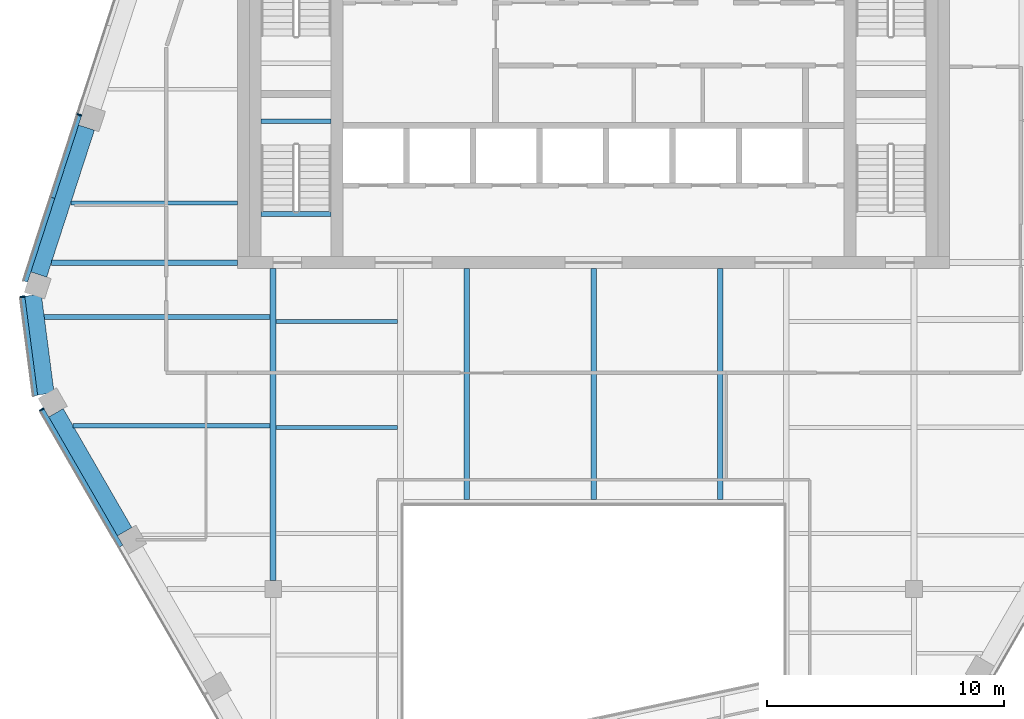
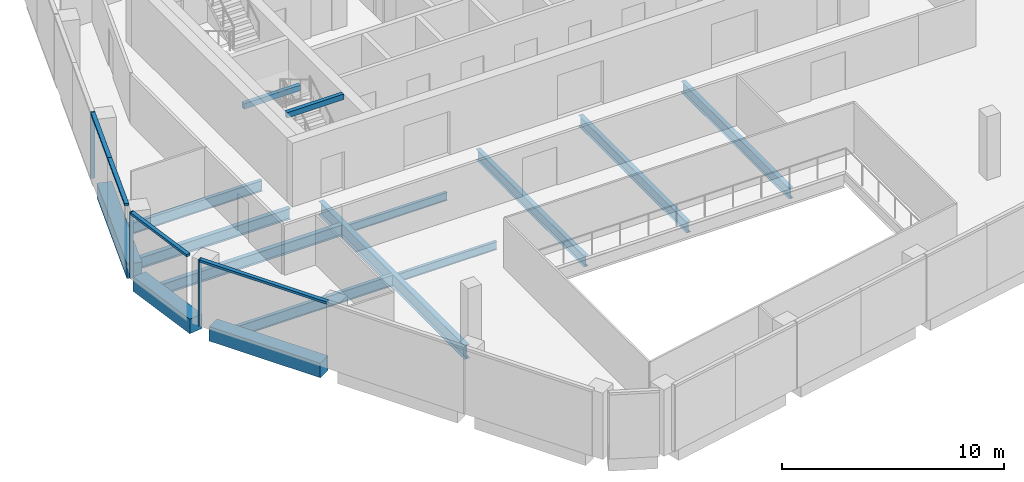
# One storey, part 3 of 15: 15 beams, 7 members, 3 elements without a shape of their own.
"""IFC4 building model written with IfcOpenShell, lengths in metres."""

from ifc_helpers import new_model, si_unit, direction, frame, origin, origin_2d, place, context, subcontext, project, spatial, rectangle, i_section, extrude, material, layer, layer_set, material_profile, profile_set, type_object, element, aggregate, save


model = new_model("IFC4")

# Units and contexts
model_context = context("Model", 3, precision=1e-05, world=origin(), true_north=direction((0.0, 1.0)))
body_context = subcontext(model_context, "Body", "Model", "MODEL_VIEW")
ifc_project = project(units=[si_unit("LENGTHUNIT", "METRE"), si_unit("AREAUNIT", "SQUARE_METRE"), si_unit("VOLUMEUNIT", "CUBIC_METRE"), si_unit("PLANEANGLEUNIT", "RADIAN"), si_unit("MASSUNIT", "GRAM", prefix="KILO")], contexts=[model_context])

# Site, building, storey
site_placement = place(None, origin())
site = spatial("IfcSite", under=ifc_project, at=site_placement, CompositionType="ELEMENT")
building_placement = place(site_placement, origin())
building = spatial("IfcBuilding", under=site, at=building_placement, Name="Isthmus Gate Tower", CompositionType="ELEMENT")
storey_placement = place(building_placement, frame((0.0, 0.0, 293.800048828125)))
storey = spatial("IfcBuildingStorey", under=building, at=storey_placement, Name="L75", CompositionType="ELEMENT", Elevation=293.800048828125)

# Curtain wall, member
ifc_material_1 = material(Name="Aluminium, pale champagne anodised", Category="aluminium")
ifc_layer = layer(ifc_material_1, 0.199951171875)
ifc_layer_set = layer_set([ifc_layer], Name="CW-1 UNITISED CURTAIN WALL 200 DEEP")
curtain_wall_type = type_object("IfcCurtainWallType", Name="CW-1 UNITISED CURTAIN WALL 200 DEEP", PredefinedType="NOTDEFINED", material=ifc_layer_set)
curtain_wall_1_placement = place(storey_placement, origin())
curtain_wall_1 = element("IfcCurtainWall", 1, at=curtain_wall_1_placement, inside=storey, type_object=curtain_wall_type, Name="CW-1 NW L75", PredefinedType="NOTDEFINED")
ifc_material_2 = material(Name="Aluminium, pale champagne anodised", Category="aluminium")
ifc_material_profile_1 = material_profile(ifc_material_2, rectangle(XDim=0.06005859375, YDim=0.199951171875, at=origin_2d()), Name="60x200")
ifc_profile_set_1 = profile_set([ifc_material_profile_1], Name="Aluminium, pale champagne anodised")
member_type_1 = type_object("IfcMemberType", Name="CW-1 MULLION 60 X 200", PredefinedType="MULLION", material=ifc_profile_set_1)
member_1_placement = place(storey_placement, frame((-21.6572265625, 6.47265625, 0.0), z_axis=(0.0, 0.0, 1.0), x_axis=(-0.309016994375, -0.951056516295, 0.0)))
member_1 = element("IfcMember", 2, at=member_1_placement, type_object=member_type_1, Name="CW-1 mullion", PredefinedType="MULLION", context=body_context, shape_type="SweptSolid", body=[
    extrude(rectangle(XDim=0.06005859375, YDim=0.199951171875, at=origin_2d()), origin(), (0.0, 0.0, 1.0), 3.64990234375),
])

curtain_wall_2_placement = place(storey_placement, origin())
curtain_wall_2 = element("IfcCurtainWall", 3, at=curtain_wall_2_placement, inside=storey, type_object=curtain_wall_type, Name="CW-1 NW-SW L75", PredefinedType="NOTDEFINED")
member_2_placement = place(storey_placement, frame((-24.0576171875, -1.18603515625, 0.0), z_axis=(0.0, 0.0, 1.0), x_axis=(0.129164534, -0.991623175988, 0.0)))
member_2 = element("IfcMember", 4, at=member_2_placement, type_object=member_type_1, Name="CW-1 mullion", PredefinedType="MULLION", context=body_context, shape_type="SweptSolid", body=[
    extrude(rectangle(XDim=0.06005859375, YDim=0.199951171875, at=origin_2d()), origin(), (0.0, 0.0, 1.0), 3.64990234375),
])

curtain_wall_3_placement = place(storey_placement, origin())
curtain_wall_3 = element("IfcCurtainWall", 5, at=curtain_wall_3_placement, inside=storey, type_object=curtain_wall_type, Name="CW-1 SW L75", PredefinedType="NOTDEFINED")
member_3_placement = place(storey_placement, frame((-23.244873046875, -5.938720703125, 0.0), z_axis=(0.0, 0.0, 1.0), x_axis=(0.5, -0.866025403784, 0.0)))
member_3 = element("IfcMember", 6, at=member_3_placement, type_object=member_type_1, Name="CW-1 mullion", PredefinedType="MULLION", context=body_context, shape_type="SweptSolid", body=[
    extrude(rectangle(XDim=0.06005859375, YDim=0.199951171875, at=origin_2d()), origin(), (0.0, 0.0, 1.0), 3.64990234375),
])

# Member
ifc_material_3 = material(Name="Aluminium, pale champagne anodised", Category="aluminium")
ifc_material_profile_2 = material_profile(ifc_material_3, rectangle(XDim=0.199951171875, YDim=0.1298828125, at=origin_2d()), Name="200x130")
ifc_profile_set_2 = profile_set([ifc_material_profile_2], Name="Aluminium, pale champagne anodised")
member_type_2 = type_object("IfcMemberType", Name="CW-1 TRANSOM 200 X 130", PredefinedType="USERDEFINED", material=ifc_profile_set_2)
member_4_placement = place(storey_placement, frame((-21.66650390625, 6.4443359375, 3.5849609375), z_axis=(-0.30898152177, -0.951068041312, 0.0), x_axis=(0.951068041312, -0.30898152177, 0.0)))
member_4 = element("IfcMember", 7, at=member_4_placement, type_object=member_type_2, Name="CW-1 transom", ObjectType="TRANSOM", PredefinedType="USERDEFINED", context=body_context, shape_type="SweptSolid", body=[
    extrude(rectangle(XDim=0.199951171875, YDim=0.1298828125, at=origin_2d()), origin(), (0.0, 0.0, 1.0), 3.643310546875),
])

member_5_placement = place(storey_placement, frame((-22.792236328125, 2.979248046875, 3.5849609375), z_axis=(-0.309039863592, -0.951049085332, 0.0), x_axis=(0.951049085332, -0.309039863592, 0.0)))
member_5 = element("IfcMember", 8, at=member_5_placement, type_object=member_type_2, Name="CW-1 transom", ObjectType="TRANSOM", PredefinedType="USERDEFINED", context=body_context, shape_type="SweptSolid", body=[
    extrude(rectangle(XDim=0.199951171875, YDim=0.1298828125, at=origin_2d()), origin(), (0.0, 0.0, 1.0), 3.70361328125),
])

aggregate(curtain_wall_1, [member_1, member_4, member_5])

member_6_placement = place(storey_placement, frame((-24.0537109375, -1.215576171875, 3.5849609375), z_axis=(0.129149481977, -0.991625136483, 0.0), x_axis=(0.991625136483, 0.129149481977, 0.0)))
member_6 = element("IfcMember", 9, at=member_6_placement, type_object=member_type_2, Name="CW-1 transom", ObjectType="TRANSOM", PredefinedType="USERDEFINED", context=body_context, shape_type="SweptSolid", body=[
    extrude(rectangle(XDim=0.199951171875, YDim=0.1298828125, at=origin_2d()), origin(), (0.0, 0.0, 1.0), 4.181396484375),
])

aggregate(curtain_wall_2, [member_2, member_6])

member_7_placement = place(storey_placement, frame((-23.22998046875, -5.964599609375, 3.5849609375), z_axis=(0.49999574405, -0.866027860944, 0.0), x_axis=(0.866027860944, 0.49999574405, 0.0)))
member_7 = element("IfcMember", 10, at=member_7_placement, type_object=member_type_2, Name="CW-1 transom", ObjectType="TRANSOM", PredefinedType="USERDEFINED", context=body_context, shape_type="SweptSolid", body=[
    extrude(rectangle(XDim=0.199951171875, YDim=0.1298828125, at=origin_2d()), origin(), (0.0, 0.0, 1.0), 6.62451171875),
])

aggregate(curtain_wall_3, [member_3, member_7])

# Beams
ifc_material_4 = material(Name="Concrete f'c 50 MPa", Category="concrete")
ifc_material_profile_3 = material_profile(ifc_material_4, rectangle(XDim=0.699951171875, YDim=0.800048828125, at=origin_2d()), Name="RC 700X800")
ifc_profile_set_3 = profile_set([ifc_material_profile_3], Name="Concrete f'c 50 MPa")
beam_type_1 = type_object("IfcBeamType", Name="RC SPANDREL 700 X 800", PredefinedType="SPANDREL", material=ifc_profile_set_3)
beam_1_placement = place(storey_placement, frame((-19.7529296875, -11.0869140625, -0.400146484375), z_axis=(-0.500011073467, 0.866019010421, 0.0), x_axis=(-0.866019010421, -0.500011073467, 0.0)))
element("IfcBeam", 11, at=beam_1_placement, inside=storey, type_object=beam_type_1, Name="str-spandrel-L75-15", PredefinedType="SPANDREL", context=body_context, shape_type="SweptSolid", body=[
    extrude(rectangle(XDim=0.699951171875, YDim=0.800048828125, at=origin_2d()), origin(), (0.0, 0.0, 1.0), 5.784423828125),
])
beam_2_placement = place(storey_placement, frame((-23.070068359375, -5.283447265625, -0.400146484375), z_axis=(-0.129137748309, 0.991626664608, 0.0), x_axis=(-0.991626664608, -0.129137748309, 0.0)))
element("IfcBeam", 12, at=beam_2_placement, inside=storey, type_object=beam_type_1, Name="str-spandrel-L75-16", PredefinedType="SPANDREL", context=body_context, shape_type="SweptSolid", body=[
    extrude(rectangle(XDim=0.699951171875, YDim=0.800048828125, at=origin_2d()), origin(), (0.0, 0.0, 1.0), 4.197021484375),
])
beam_3_placement = place(storey_placement, frame((-23.36962890625, -0.254150390625, -0.400146484375), z_axis=(0.30901480678, 0.951057227085, 0.0), x_axis=(-0.951057227085, 0.30901480678, 0.0)))
element("IfcBeam", 13, at=beam_3_placement, inside=storey, type_object=beam_type_1, Name="str-spandrel-L75-17", PredefinedType="SPANDREL", context=body_context, shape_type="SweptSolid", body=[
    extrude(rectangle(XDim=0.699951171875, YDim=0.800048828125, at=origin_2d()), origin(), (0.0, 0.0, 1.0), 6.5068359375),
])
ifc_material_5 = material(Name="Concrete f'c 40 MPa", Category="concrete")
ifc_material_profile_4 = material_profile(ifc_material_5, rectangle(XDim=0.199951171875, YDim=0.300048828125, at=origin_2d()), Name="STAIR LANDING BEAM RC 200 X 300")
ifc_profile_set_4 = profile_set([ifc_material_profile_4], Name="Concrete f'c 40 MPa")
beam_type_2 = type_object("IfcBeamType", Name="STAIR LANDING BEAM RC 200 X 300", PredefinedType="BEAM", material=ifc_profile_set_4)
for number, where, z_axis, x_axis, name in (
    (14, (-14.0, 6.199951171875, 1.474853515625), (1.0, 0.0, 0.0), (0.0, 1.0, 0.0), "L75 ST7 landing beam 1"),
    (15, (-14.0, 2.2998046875, 3.349853515625), (1.0, 0.0, 0.0), (0.0, 1.0, 0.0), "L75 ST7 floor-edge seat beam"),
):
    element("IfcBeam", number, at=place(storey_placement, frame(where, z_axis=z_axis, x_axis=x_axis)), inside=storey, type_object=beam_type_2, Name=name, PredefinedType="BEAM", context=body_context, shape_type="SweptSolid", body=[
        extrude(rectangle(XDim=0.199951171875, YDim=0.300048828125, at=origin_2d()), origin(), (0.0, 0.0, 1.0), 2.949951171875),
    ])
ifc_material_6 = material(Name="Structural steel ASTM A992 Gr 50", Category="steel")
ifc_material_profile_5 = material_profile(ifc_material_6, i_section(OverallWidth=0.15234375, OverallDepth=0.45068359375, WebThickness=0.0078125, FlangeThickness=0.010986328125, at=origin_2d()), Name="W18X35")
ifc_profile_set_5 = profile_set([ifc_material_profile_5], Name="Structural steel ASTM A992 Gr 50")
beam_type_3 = type_object("IfcBeamType", Name="STEEL FLOOR BEAM W18X35", PredefinedType="JOIST", material=ifc_profile_set_5)
for number, where, z_axis, x_axis, name in (
    (16, (-13.3681640625, -6.697509765625, -0.37548828125), (1.0, 0.0, 0.0), (0.0, 1.0, 0.0), "str-beam-L75-03-01"),
    (17, (-13.3681640625, -2.232421875, -0.37548828125), (1.0, 0.0, 0.0), (0.0, 1.0, 0.0), "str-beam-L75-03-02"),
):
    element("IfcBeam", number, at=place(storey_placement, frame(where, z_axis=z_axis, x_axis=x_axis)), inside=storey, type_object=beam_type_3, Name=name, PredefinedType="JOIST", context=body_context, shape_type="SweptSolid", body=[
        extrude(i_section(OverallWidth=0.15234375, OverallDepth=0.45068359375, WebThickness=0.0078125, FlangeThickness=0.010986328125, at=origin_2d()), origin(), (0.0, 0.0, 1.0), 5.1142578125),
    ])
ifc_material_7 = material(Name="Structural steel ASTM A992 Gr 50", Category="steel")
ifc_material_profile_6 = material_profile(ifc_material_7, i_section(OverallWidth=0.177734375, OverallDepth=0.60009765625, WebThickness=0.009521484375, FlangeThickness=0.0126953125, at=origin_2d()), Name="W24X55")
ifc_profile_set_6 = profile_set([ifc_material_profile_6], Name="Structural steel ASTM A992 Gr 50")
beam_type_4 = type_object("IfcBeamType", Name="STEEL FLOOR BEAM W24X55", PredefinedType="JOIST", material=ifc_profile_set_6)
beam_4_placement = place(storey_placement, frame((-22.021728515625, 2.761962890625, -0.4501953125), z_axis=(1.0, 0.0, 0.0), x_axis=(0.0, 1.0, 0.0)))
element("IfcBeam", 18, at=beam_4_placement, inside=storey, type_object=beam_type_4, Name="str-beam-L75-00-00", PredefinedType="JOIST", context=body_context, shape_type="SweptSolid", body=[
    extrude(i_section(OverallWidth=0.177734375, OverallDepth=0.60009765625, WebThickness=0.009521484375, FlangeThickness=0.0126953125, at=origin_2d()), origin(), (0.0, 0.0, 1.0), 7.021728515625),
])
beam_5_placement = place(storey_placement, frame((-21.9248046875, -6.625, -0.4501953125), z_axis=(1.0, 0.0, 0.0), x_axis=(0.0, 1.0, 0.0)))
element("IfcBeam", 19, at=beam_5_placement, inside=storey, type_object=beam_type_4, Name="str-beam-L75-01-01", PredefinedType="JOIST", context=body_context, shape_type="SweptSolid", body=[
    extrude(i_section(OverallWidth=0.177734375, OverallDepth=0.60009765625, WebThickness=0.009521484375, FlangeThickness=0.0126953125, at=origin_2d()), origin(), (0.0, 0.0, 1.0), 8.29296875),
])
ifc_material_8 = material(Name="Structural steel ASTM A992 Gr 50", Category="steel")
ifc_material_profile_7 = material_profile(ifc_material_8, i_section(OverallWidth=0.228515625, OverallDepth=0.603271484375, WebThickness=0.010986328125, FlangeThickness=0.014404296875, at=origin_2d()), Name="W24X68")
ifc_profile_set_7 = profile_set([ifc_material_profile_7], Name="Structural steel ASTM A992 Gr 50")
beam_type_5 = type_object("IfcBeamType", Name="STEEL FLOOR BEAM W24X68", PredefinedType="JOIST", material=ifc_profile_set_7)
beam_6_placement = place(storey_placement, frame((-23.139404296875, -2.041748046875, -0.45166015625), z_axis=(1.0, 0.0, 0.0), x_axis=(0.0, 1.0, 0.0)))
element("IfcBeam", 20, at=beam_6_placement, inside=storey, type_object=beam_type_5, Name="str-beam-L75-01-02", PredefinedType="JOIST", context=body_context, shape_type="SweptSolid", body=[
    extrude(i_section(OverallWidth=0.228515625, OverallDepth=0.603271484375, WebThickness=0.010986328125, FlangeThickness=0.014404296875, at=origin_2d()), origin(), (0.0, 0.0, 1.0), 9.507568359375),
])
for number, where, z_axis, x_axis, name in (
    (21, (-5.333251953125, -9.7333984375, -0.45166015625), (0.0, 1.0, 0.0), (-1.0, 0.0, 0.0), "str-beam-L75-06-00"),
    (22, (0.0, -9.7333984375, -0.45166015625), (0.0, 1.0, 0.0), (-1.0, 0.0, 0.0), "str-beam-L75-06-01"),
    (23, (5.333251953125, -9.7333984375, -0.45166015625), (0.0, 1.0, 0.0), (-1.0, 0.0, 0.0), "str-beam-L75-06-02"),
):
    element("IfcBeam", number, at=place(storey_placement, frame(where, z_axis=z_axis, x_axis=x_axis)), inside=storey, type_object=beam_type_5, Name=name, PredefinedType="JOIST", context=body_context, shape_type="SweptSolid", body=[
        extrude(i_section(OverallWidth=0.228515625, OverallDepth=0.603271484375, WebThickness=0.010986328125, FlangeThickness=0.014404296875, at=origin_2d()), origin(), (0.0, 0.0, 1.0), 9.7333984375),
    ])
ifc_material_9 = material(Name="Structural steel ASTM A992 Gr 50", Category="steel")
ifc_material_profile_8 = material_profile(ifc_material_9, i_section(OverallWidth=0.228515625, OverallDepth=0.603271484375, WebThickness=0.010986328125, FlangeThickness=0.014404296875, at=origin_2d()), Name="W24X68")
ifc_profile_set_8 = profile_set([ifc_material_profile_8], Name="Structural steel ASTM A992 Gr 50")
beam_type_6 = type_object("IfcBeamType", Name="STEEL GIRDER W24X68", PredefinedType="BEAM", material=ifc_profile_set_8)
beam_7_placement = place(storey_placement, frame((-15.0, 0.25, -0.45166015625), z_axis=(-1.0, 0.0, 0.0), x_axis=(0.0, -1.0, 0.0)))
element("IfcBeam", 24, at=beam_7_placement, inside=storey, type_object=beam_type_6, Name="str-girder-L75-09", PredefinedType="BEAM", context=body_context, shape_type="SweptSolid", body=[
    extrude(i_section(OverallWidth=0.228515625, OverallDepth=0.603271484375, WebThickness=0.010986328125, FlangeThickness=0.014404296875, at=origin_2d()), origin(), (0.0, 0.0, 1.0), 7.837890625),
])
ifc_material_10 = material(Name="Structural steel ASTM A992 Gr 50", Category="steel")
ifc_material_profile_9 = material_profile(ifc_material_10, i_section(OverallWidth=0.263427734375, OverallDepth=0.749267578125, WebThickness=0.0126953125, FlangeThickness=0.015869140625, at=origin_2d()), Name="W30X90")
ifc_profile_set_9 = profile_set([ifc_material_profile_9], Name="Structural steel ASTM A992 Gr 50")
beam_type_7 = type_object("IfcBeamType", Name="STEEL GIRDER W30X90", PredefinedType="BEAM", material=ifc_profile_set_9)
beam_8_placement = place(storey_placement, frame((-13.5, -13.14990234375, -0.524658203125), z_axis=(0.0, 1.0, 0.0), x_axis=(-1.0, 0.0, 0.0)))
element("IfcBeam", 25, at=beam_8_placement, inside=storey, type_object=beam_type_7, Name="str-girder-L75-06", PredefinedType="BEAM", context=body_context, shape_type="SweptSolid", body=[
    extrude(i_section(OverallWidth=0.263427734375, OverallDepth=0.749267578125, WebThickness=0.0126953125, FlangeThickness=0.015869140625, at=origin_2d()), origin(), (0.0, 0.0, 1.0), 13.14990234375),
])

save(model, "model.ifc")
